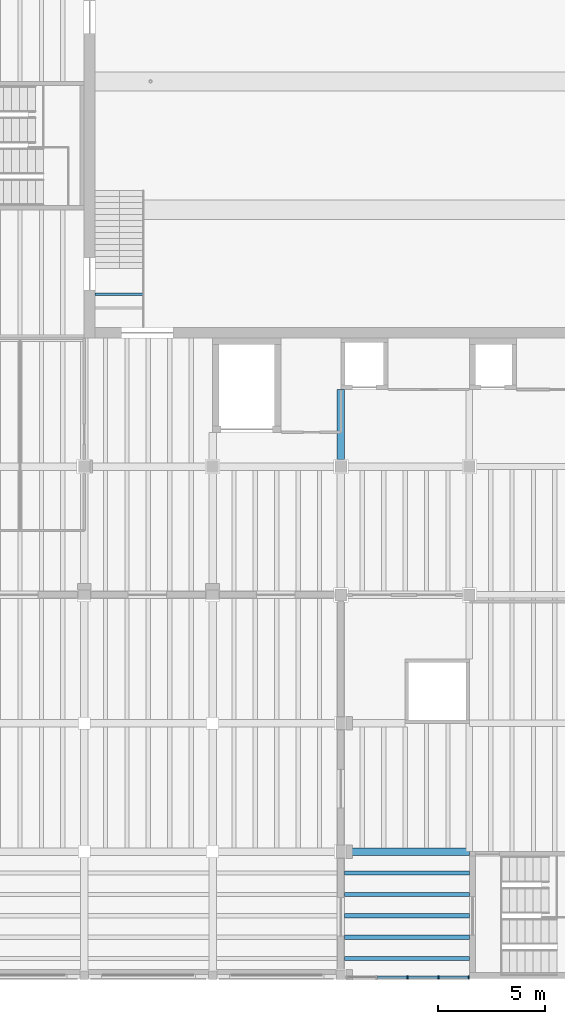
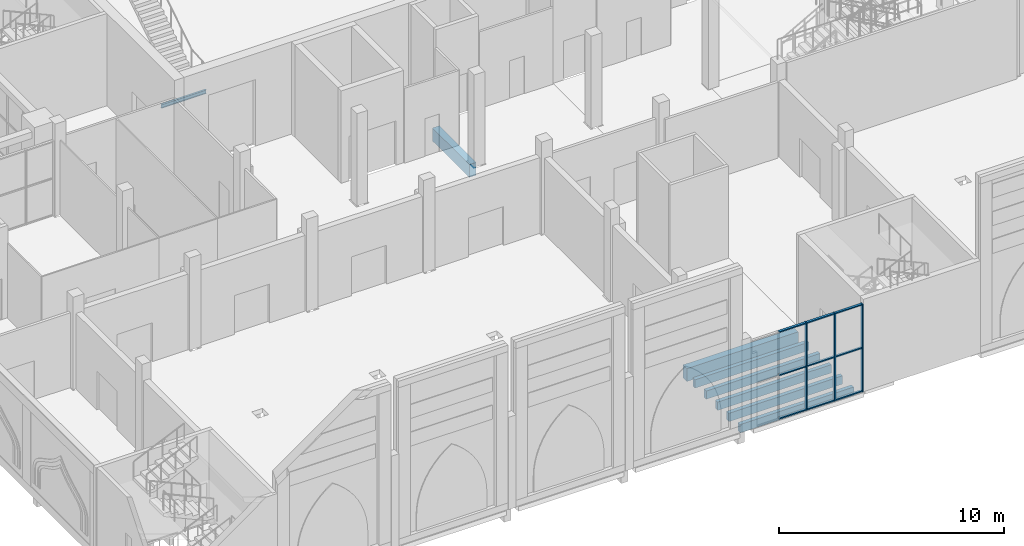
# One storey, part 4 of 80: 12 members, 8 beams, 1 element without a shape of its own.
"""IFC4 building model written with IfcOpenShell, lengths in metres."""

from ifc_helpers import new_model, si_unit, direction, frame, origin, origin_2d, place, context, subcontext, project, spatial, rectangle, i_section, extrude, material, material_profile, profile_set, type_object, element, aggregate, save


model = new_model("IFC4")

# Units and contexts
model_context = context("Model", 3, precision=1e-05, world=origin(), true_north=direction((0.0, 1.0)))
body_context = subcontext(model_context, "Body", "Model", "MODEL_VIEW")
ifc_project = project(units=[si_unit("LENGTHUNIT", "METRE"), si_unit("AREAUNIT", "SQUARE_METRE"), si_unit("VOLUMEUNIT", "CUBIC_METRE"), si_unit("PLANEANGLEUNIT", "RADIAN"), si_unit("MASSUNIT", "GRAM", prefix="KILO")], contexts=[model_context])

# Site, building, storey
site_placement = place(None, origin())
site = spatial("IfcSite", under=ifc_project, at=site_placement, CompositionType="ELEMENT")
building_placement = place(site_placement, origin())
building = spatial("IfcBuilding", under=site, at=building_placement, Name="Saffron Lane Theatres", CompositionType="ELEMENT")
storey_placement = place(building_placement, frame((0.0, 0.0, 7.0)))
storey = spatial("IfcBuildingStorey", under=building, at=storey_placement, Name="L01", CompositionType="ELEMENT", Elevation=7.0)

# Curtain wall, members
ifc_material_1 = material(Name="Aluminium", Category="aluminium")
curtain_wall_type = type_object("IfcCurtainWallType", Name="EX-CURTAIN WALL 5770x4750x160", PredefinedType="NOTDEFINED", material=ifc_material_1)
curtain_wall_placement = place(storey_placement, origin())
curtain_wall = element("IfcCurtainWall", 1, at=curtain_wall_placement, inside=storey, type_object=curtain_wall_type, Name="Curtain wall L01 17", PredefinedType="NOTDEFINED")
ifc_material_2 = material(Name="Aluminium", Category="aluminium")
ifc_material_profile_1 = material_profile(ifc_material_2, rectangle(XDim=0.06005859375, YDim=0.159912109375, at=origin_2d()))
ifc_profile_set_1 = profile_set([ifc_material_profile_1], Name="Aluminium")
member_type_1 = type_object("IfcMemberType", Name="EX-CW MULLION 60x160", PredefinedType="MULLION", material=ifc_profile_set_1)
member_1_placement = place(storey_placement, frame((35.969970703125, 0.1298828125, 0.0), z_axis=(0.0, 0.0, 1.0), x_axis=(-1.0, 0.0, 0.0)))
member_1 = element("IfcMember", 2, at=member_1_placement, type_object=member_type_1, Name="CW-01-17 mullion 1", PredefinedType="MULLION", context=body_context, shape_type="SweptSolid", body=[
    extrude(rectangle(XDim=0.06005859375, YDim=0.159912109375, at=origin_2d()), origin(), (0.0, 0.0, 1.0), 4.75),
])
member_2_placement = place(storey_placement, frame((34.55615234375, 0.1298828125, 0.0), z_axis=(0.0, 0.0, 1.0), x_axis=(-1.0, 0.0, 0.0)))
member_2 = element("IfcMember", 3, at=member_2_placement, type_object=member_type_1, Name="CW-01-17 mullion 2", PredefinedType="MULLION", context=body_context, shape_type="SweptSolid", body=[
    extrude(rectangle(XDim=0.06005859375, YDim=0.159912109375, at=origin_2d()), origin(), (0.0, 0.0, 1.0), 4.75),
])
member_3_placement = place(storey_placement, frame((33.112548828125, 0.1298828125, 0.0), z_axis=(0.0, 0.0, 1.0), x_axis=(-1.0, 0.0, 0.0)))
member_3 = element("IfcMember", 4, at=member_3_placement, type_object=member_type_1, Name="CW-01-17 mullion 3", PredefinedType="MULLION", context=body_context, shape_type="SweptSolid", body=[
    extrude(rectangle(XDim=0.06005859375, YDim=0.159912109375, at=origin_2d()), origin(), (0.0, 0.0, 1.0), 4.75),
])
ifc_material_3 = material(Name="Aluminium", Category="aluminium")
ifc_material_profile_2 = material_profile(ifc_material_3, rectangle(XDim=0.1201171875, YDim=0.06005859375, at=origin_2d()))
ifc_profile_set_2 = profile_set([ifc_material_profile_2], Name="Aluminium")
member_type_2 = type_object("IfcMemberType", Name="EX-CW TRANSOM 120x60", PredefinedType="USERDEFINED", material=ifc_profile_set_2)
member_4_placement = place(storey_placement, frame((35.93994140625, 0.1298828125, 0.030029296875), z_axis=(-1.0, 0.0, 0.0), x_axis=(0.0, -1.0, 0.0)))
member_4 = element("IfcMember", 5, at=member_4_placement, type_object=member_type_2, Name="CW-01-17 transom 1.1", ObjectType="TRANSOM", PredefinedType="USERDEFINED", context=body_context, shape_type="SweptSolid", body=[
    extrude(rectangle(XDim=0.1201171875, YDim=0.06005859375, at=origin_2d()), origin(), (0.0, 0.0, 1.0), 1.353759765625),
])
member_5_placement = place(storey_placement, frame((35.93994140625, 0.1298828125, 2.375), z_axis=(-1.0, 0.0, 0.0), x_axis=(0.0, -1.0, 0.0)))
member_5 = element("IfcMember", 6, at=member_5_placement, type_object=member_type_2, Name="CW-01-17 transom 1.2", ObjectType="TRANSOM", PredefinedType="USERDEFINED", context=body_context, shape_type="SweptSolid", body=[
    extrude(rectangle(XDim=0.1201171875, YDim=0.06005859375, at=origin_2d()), origin(), (0.0, 0.0, 1.0), 1.353759765625),
])
member_6_placement = place(storey_placement, frame((35.93994140625, 0.1298828125, 4.719970703125), z_axis=(-1.0, 0.0, 0.0), x_axis=(0.0, -1.0, 0.0)))
member_6 = element("IfcMember", 7, at=member_6_placement, type_object=member_type_2, Name="CW-01-17 transom 1.3", ObjectType="TRANSOM", PredefinedType="USERDEFINED", context=body_context, shape_type="SweptSolid", body=[
    extrude(rectangle(XDim=0.1201171875, YDim=0.06005859375, at=origin_2d()), origin(), (0.0, 0.0, 1.0), 1.353759765625),
])
member_7_placement = place(storey_placement, frame((34.5263671875, 0.1298828125, 0.030029296875), z_axis=(-1.0, 0.0, 0.0), x_axis=(0.0, -1.0, 0.0)))
member_7 = element("IfcMember", 8, at=member_7_placement, type_object=member_type_2, Name="CW-01-17 transom 2.1", ObjectType="TRANSOM", PredefinedType="USERDEFINED", context=body_context, shape_type="SweptSolid", body=[
    extrude(rectangle(XDim=0.1201171875, YDim=0.06005859375, at=origin_2d()), origin(), (0.0, 0.0, 1.0), 1.3837890625),
])
member_8_placement = place(storey_placement, frame((34.5263671875, 0.1298828125, 2.375), z_axis=(-1.0, 0.0, 0.0), x_axis=(0.0, -1.0, 0.0)))
member_8 = element("IfcMember", 9, at=member_8_placement, type_object=member_type_2, Name="CW-01-17 transom 2.2", ObjectType="TRANSOM", PredefinedType="USERDEFINED", context=body_context, shape_type="SweptSolid", body=[
    extrude(rectangle(XDim=0.1201171875, YDim=0.06005859375, at=origin_2d()), origin(), (0.0, 0.0, 1.0), 1.3837890625),
])
member_9_placement = place(storey_placement, frame((34.5263671875, 0.1298828125, 4.719970703125), z_axis=(-1.0, 0.0, 0.0), x_axis=(0.0, -1.0, 0.0)))
member_9 = element("IfcMember", 10, at=member_9_placement, type_object=member_type_2, Name="CW-01-17 transom 2.3", ObjectType="TRANSOM", PredefinedType="USERDEFINED", context=body_context, shape_type="SweptSolid", body=[
    extrude(rectangle(XDim=0.1201171875, YDim=0.06005859375, at=origin_2d()), origin(), (0.0, 0.0, 1.0), 1.3837890625),
])
member_10_placement = place(storey_placement, frame((33.08251953125, 0.1298828125, 0.030029296875), z_axis=(-1.0, 0.0, 0.0), x_axis=(0.0, -1.0, 0.0)))
member_10 = element("IfcMember", 11, at=member_10_placement, type_object=member_type_2, Name="CW-01-17 transom 3.1", ObjectType="TRANSOM", PredefinedType="USERDEFINED", context=body_context, shape_type="SweptSolid", body=[
    extrude(rectangle(XDim=0.1201171875, YDim=0.06005859375, at=origin_2d()), origin(), (0.0, 0.0, 1.0), 1.3837890625),
])
member_11_placement = place(storey_placement, frame((33.08251953125, 0.1298828125, 2.375), z_axis=(-1.0, 0.0, 0.0), x_axis=(0.0, -1.0, 0.0)))
member_11 = element("IfcMember", 12, at=member_11_placement, type_object=member_type_2, Name="CW-01-17 transom 3.2", ObjectType="TRANSOM", PredefinedType="USERDEFINED", context=body_context, shape_type="SweptSolid", body=[
    extrude(rectangle(XDim=0.1201171875, YDim=0.06005859375, at=origin_2d()), origin(), (0.0, 0.0, 1.0), 1.3837890625),
])
member_12_placement = place(storey_placement, frame((33.08251953125, 0.1298828125, 4.719970703125), z_axis=(-1.0, 0.0, 0.0), x_axis=(0.0, -1.0, 0.0)))
member_12 = element("IfcMember", 13, at=member_12_placement, type_object=member_type_2, Name="CW-01-17 transom 3.3", ObjectType="TRANSOM", PredefinedType="USERDEFINED", context=body_context, shape_type="SweptSolid", body=[
    extrude(rectangle(XDim=0.1201171875, YDim=0.06005859375, at=origin_2d()), origin(), (0.0, 0.0, 1.0), 1.3837890625),
])
aggregate(curtain_wall, [member_1, member_2, member_3, member_4, member_5, member_6, member_7, member_8, member_9, member_10, member_11, member_12])

# Beams
ifc_material_4 = material(Name="Concrete N40 (40 MPa)", Category="concrete")
ifc_material_profile_3 = material_profile(ifc_material_4, rectangle(XDim=0.35009765625, YDim=0.699951171875, at=origin_2d()))
ifc_profile_set_3 = profile_set([ifc_material_profile_3], Name="Concrete N40 (40 MPa)")
beam_type_1 = type_object("IfcBeamType", Name="RC-BEAM 350x700", PredefinedType="BEAM", material=ifc_profile_set_3)
beam_1_placement = place(storey_placement, frame((30.300048828125, 6.0, -0.60009765625), z_axis=(1.0, 0.0, 0.0), x_axis=(0.0, 1.0, 0.0)))
element("IfcBeam", 14, at=beam_1_placement, inside=storey, type_object=beam_type_1, Name="beam-L01-x60-303", PredefinedType="BEAM", context=body_context, shape_type="SweptSolid", body=[
    extrude(rectangle(XDim=0.35009765625, YDim=0.699951171875, at=origin_2d()), origin(), (0.0, 0.0, 1.0), 5.699951171875),
])
beam_2_placement = place(storey_placement, frame((30.0, 24.324951171875, -0.60009765625), z_axis=(0.0, 1.0, 0.0), x_axis=(-1.0, 0.0, 0.0)))
element("IfcBeam", 15, at=beam_2_placement, inside=storey, type_object=beam_type_1, Name="beam-L01-y300-243", PredefinedType="BEAM", context=body_context, shape_type="SweptSolid", body=[
    extrude(rectangle(XDim=0.35009765625, YDim=0.699951171875, at=origin_2d()), origin(), (0.0, 0.0, 1.0), 3.275146484375),
])
ifc_material_5 = material(Name="Concrete N40 (40 MPa)", Category="concrete")
ifc_material_profile_4 = material_profile(ifc_material_5, rectangle(XDim=0.199951171875, YDim=0.449951171875, at=origin_2d()))
ifc_profile_set_4 = profile_set([ifc_material_profile_4], Name="Concrete N40 (40 MPa)")
beam_type_2 = type_object("IfcBeamType", Name="RC-JOIST 200x450", PredefinedType="JOIST", material=ifc_profile_set_4)
for number, where, z_axis, x_axis, name in (
    (16, (30.175048828125, 1.0, -0.47509765625), (1.0, 0.0, 0.0), (0.0, 1.0, 0.0), "joist-L01-x100-302"),
    (17, (30.175048828125, 2.0, -0.47509765625), (1.0, 0.0, 0.0), (0.0, 1.0, 0.0), "joist-L01-x200-302"),
    (18, (30.175048828125, 3.0, -0.47509765625), (1.0, 0.0, 0.0), (0.0, 1.0, 0.0), "joist-L01-x300-302"),
    (19, (30.175048828125, 4.0, -0.47509765625), (1.0, 0.0, 0.0), (0.0, 1.0, 0.0), "joist-L01-x400-302"),
    (20, (30.175048828125, 5.0, -0.47509765625), (1.0, 0.0, 0.0), (0.0, 1.0, 0.0), "joist-L01-x500-302"),
):
    element("IfcBeam", number, at=place(storey_placement, frame(where, z_axis=z_axis, x_axis=x_axis)), inside=storey, type_object=beam_type_2, Name=name, PredefinedType="JOIST", context=body_context, shape_type="SweptSolid", body=[
        extrude(rectangle(XDim=0.199951171875, YDim=0.449951171875, at=origin_2d()), origin(), (0.0, 0.0, 1.0), 5.824951171875),
    ])
ifc_material_6 = material(Name="Steel Grade 350", Category="steel")
ifc_material_profile_5 = material_profile(ifc_material_6, i_section(OverallWidth=0.09912109375, OverallDepth=0.197998046875, WebThickness=0.00439453125, FlangeThickness=0.007080078125, FilletRadius=0.010986328125, at=origin_2d()))
ifc_profile_set_5 = profile_set([ifc_material_profile_5], Name="Steel Grade 350")
beam_type_3 = type_object("IfcBeamType", Name="ST-GALLERY BEAM 200UB18.2", PredefinedType="BEAM", material=ifc_profile_set_5)
beam_3_placement = place(storey_placement, frame((18.5, 32.050048828125, 2.200927734375), z_axis=(1.0, 0.0, 0.0), x_axis=(0.0, 1.0, 0.0)))
element("IfcBeam", 21, at=beam_3_placement, inside=storey, type_object=beam_type_3, Name="FLW9.5-2", PredefinedType="BEAM", context=body_context, shape_type="SweptSolid", body=[
    extrude(i_section(OverallWidth=0.09912109375, OverallDepth=0.197998046875, WebThickness=0.00439453125, FlangeThickness=0.007080078125, FilletRadius=0.010986328125, at=origin_2d()), origin(), (0.0, 0.0, 1.0), 2.300048828125),
])

save(model, "model.ifc")
